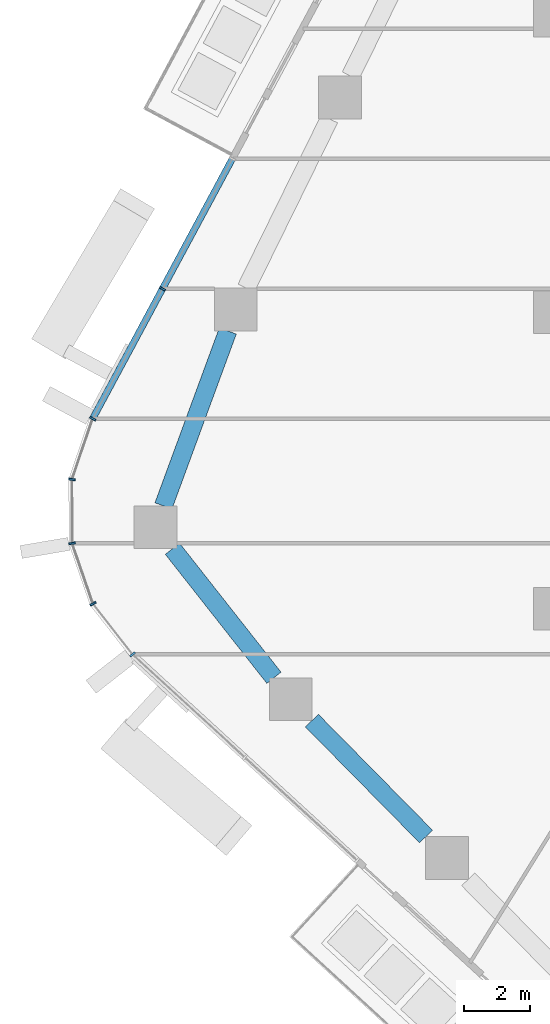
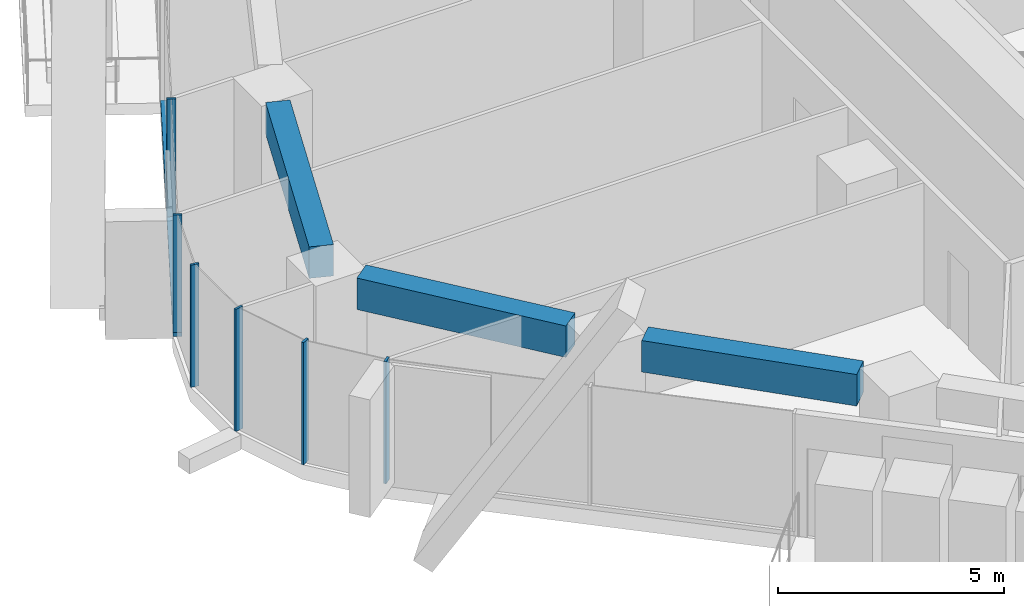
# One storey, part 3 of 23: 7 members, 3 beams, 2 elements without a shape of their own.
"""IFC4 building model written with IfcOpenShell, lengths in metres."""

from ifc_helpers import new_model, si_unit, direction, frame, origin, origin_2d, place, context, subcontext, project, spatial, rectangle, extrude, material, layer, layer_set, material_profile, profile_set, type_object, element, aggregate, save


model = new_model("IFC4")

# Units and contexts
model_context = context("Model", 3, precision=1e-05, world=origin(), true_north=direction((0.0, 1.0)))
body_context = subcontext(model_context, "Body", "Model", "MODEL_VIEW")
ifc_project = project(units=[si_unit("LENGTHUNIT", "METRE"), si_unit("AREAUNIT", "SQUARE_METRE"), si_unit("VOLUMEUNIT", "CUBIC_METRE"), si_unit("PLANEANGLEUNIT", "RADIAN"), si_unit("MASSUNIT", "GRAM", prefix="KILO")], contexts=[model_context])

# Site, building, storey
site_placement = place(None, origin())
site = spatial("IfcSite", under=ifc_project, at=site_placement, CompositionType="ELEMENT")
building_placement = place(site_placement, origin())
building = spatial("IfcBuilding", under=site, at=building_placement, Name="Dongbaek Canopy Tower", CompositionType="ELEMENT")
storey_placement = place(building_placement, frame((0.0, 0.0, 121.10009765625)))
storey = spatial("IfcBuildingStorey", under=building, at=storey_placement, Name="L26", CompositionType="ELEMENT", Elevation=121.10009765625)

# Curtain wall, members
ifc_material_1 = material(Name="Aluminium 6063-T6 pale anodised", Category="aluminium")
ifc_layer = layer(ifc_material_1, 0.199951171875)
ifc_layer_set = layer_set([ifc_layer], Name="CW-1 unitised tower curtain wall")
curtain_wall_type = type_object("IfcCurtainWallType", Name="CW-1 unitised tower curtain wall", PredefinedType="NOTDEFINED", material=ifc_layer_set)
curtain_wall_1_placement = place(storey_placement, origin())
curtain_wall_1 = element("IfcCurtainWall", 1, at=curtain_wall_1_placement, inside=storey, type_object=curtain_wall_type, Name="CW-1 curtain wall F2.1", PredefinedType="NOTDEFINED")
ifc_material_2 = material(Name="Aluminium 6063-T6 pale anodised", Category="aluminium")
ifc_material_profile_1 = material_profile(ifc_material_2, rectangle(XDim=0.199951171875, YDim=0.06005859375, at=origin_2d()), Name="CW-1 mullion 60 x 200")
ifc_profile_set_1 = profile_set([ifc_material_profile_1], Name="Aluminium 6063-T6 pale anodised")
member_type_1 = type_object("IfcMemberType", Name="CW-1 mullion 60 x 200", PredefinedType="MULLION", material=ifc_profile_set_1)
member_1_placement = place(storey_placement, frame((-29.91552734375, 0.711669921875, 0.119873046875), z_axis=(0.0, 0.0, 1.0), x_axis=(-0.880842802858, 0.473408868372, 0.0)))
member_1 = element("IfcMember", 2, at=member_1_placement, type_object=member_type_1, Name="CW-1 mullion F2.1.2", PredefinedType="MULLION", context=body_context, shape_type="SweptSolid", body=[
    extrude(rectangle(XDim=0.199951171875, YDim=0.06005859375, at=origin_2d()), origin(), (0.0, 0.0, 1.0), 3.179931640625),
])
member_2_placement = place(storey_placement, frame((-32.033447265625, -3.229248046875, 0.119873046875), z_axis=(0.0, 0.0, 1.0), x_axis=(-0.880842802858, 0.473408868372, 0.0)))
member_2 = element("IfcMember", 3, at=member_2_placement, type_object=member_type_1, Name="CW-1 mullion F2.1.3", PredefinedType="MULLION", context=body_context, shape_type="SweptSolid", body=[
    extrude(rectangle(XDim=0.199951171875, YDim=0.06005859375, at=origin_2d()), origin(), (0.0, 0.0, 1.0), 3.179931640625),
])

curtain_wall_2_placement = place(storey_placement, origin())
curtain_wall_2 = element("IfcCurtainWall", 4, at=curtain_wall_2_placement, inside=storey, type_object=curtain_wall_type, Name="CW-1 curtain wall K3.1", PredefinedType="NOTDEFINED")
member_3_placement = place(storey_placement, frame((-32.6611328125, -5.07373046875, 0.0), z_axis=(0.0, 0.0, 1.0), x_axis=(-0.986786712671, 0.162024639164, 0.0)))
member_3 = element("IfcMember", 5, at=member_3_placement, type_object=member_type_1, Name="CW-1 mullion K3.1.2", PredefinedType="MULLION", context=body_context, shape_type="SweptSolid", body=[
    extrude(rectangle(XDim=0.199951171875, YDim=0.06005859375, at=origin_2d()), origin(), (0.0, 0.0, 1.0), 3.2998046875),
])
member_4_placement = place(storey_placement, frame((-32.65625, -7.013916015625, 0.0), z_axis=(0.0, 0.0, 1.0), x_axis=(-0.985975841841, -0.16688810415, 0.0)))
member_4 = element("IfcMember", 6, at=member_4_placement, type_object=member_type_1, Name="CW-1 mullion K3.1.3", PredefinedType="MULLION", context=body_context, shape_type="SweptSolid", body=[
    extrude(rectangle(XDim=0.199951171875, YDim=0.06005859375, at=origin_2d()), origin(), (0.0, 0.0, 1.0), 3.2998046875),
])
member_5_placement = place(storey_placement, frame((-32.0224609375, -8.84765625, 0.0), z_axis=(0.0, 0.0, 1.0), x_axis=(-0.878497913812, -0.47774618306, 0.0)))
member_5 = element("IfcMember", 7, at=member_5_placement, type_object=member_type_1, Name="CW-1 mullion K3.1.4", PredefinedType="MULLION", context=body_context, shape_type="SweptSolid", body=[
    extrude(rectangle(XDim=0.199951171875, YDim=0.06005859375, at=origin_2d()), origin(), (0.0, 0.0, 1.0), 3.2998046875),
])
member_6_placement = place(storey_placement, frame((-30.822509765625, -10.383056640625, 0.0), z_axis=(0.0, 0.0, 1.0), x_axis=(-0.787967884973, -0.615716340737, 0.0)))
member_6 = element("IfcMember", 8, at=member_6_placement, type_object=member_type_1, Name="CW-1 mullion K3.1.5", PredefinedType="MULLION", context=body_context, shape_type="SweptSolid", body=[
    extrude(rectangle(XDim=0.199951171875, YDim=0.06005859375, at=origin_2d()), origin(), (0.0, 0.0, 1.0), 3.2998046875),
])
aggregate(curtain_wall_2, [member_3, member_4, member_5, member_6])

# Member
ifc_material_3 = material(Name="Aluminium 6063-T6 pale anodised", Category="aluminium")
ifc_material_profile_2 = material_profile(ifc_material_3, rectangle(XDim=0.199951171875, YDim=0.1201171875, at=origin_2d()), Name="CW-1 transom 120 x 200")
ifc_profile_set_2 = profile_set([ifc_material_profile_2], Name="Aluminium 6063-T6 pale anodised")
member_type_2 = type_object("IfcMemberType", Name="CW-1 transom 120 x 200", PredefinedType="USERDEFINED", material=ifc_profile_set_2)
member_7_placement = place(storey_placement, frame((-27.793701171875, 4.65966796875, 0.059814453125), z_axis=(-0.473395790362, -0.880849831508, 0.0), x_axis=(0.880849831508, -0.473395790362, 0.0)))
member_7 = element("IfcMember", 9, at=member_7_placement, type_object=member_type_2, Name="CW-1 transom F2.1.1", ObjectType="TRANSOM", PredefinedType="USERDEFINED", context=body_context, shape_type="SweptSolid", body=[
    extrude(rectangle(XDim=0.199951171875, YDim=0.1201171875, at=origin_2d()), origin(), (0.0, 0.0, 1.0), 8.9560546875),
])

aggregate(curtain_wall_1, [member_1, member_2, member_7])

# Beams
ifc_material_4 = material(Name="Concrete C80", Category="concrete")
ifc_material_profile_3 = material_profile(ifc_material_4, rectangle(XDim=0.550048828125, YDim=0.85009765625, at=origin_2d()), Name="RC EDGE BEAM 550x850 C80")
ifc_profile_set_3 = profile_set([ifc_material_profile_3], Name="Concrete C80")
beam_type = type_object("IfcBeamType", Name="RC EDGE BEAM 550x850 C80", PredefinedType="BEAM", material=ifc_profile_set_3)
beam_1_placement = place(storey_placement, frame((-21.9169921875, -15.909912109375, 2.875), z_axis=(-0.70172014863, 0.712452688259, 0.0), x_axis=(-0.712452688259, -0.70172014863, 0.0)))
element("IfcBeam", 10, at=beam_1_placement, inside=storey, type_object=beam_type, Name="EDGEBEAM:L26:06", PredefinedType="BEAM", context=body_context, shape_type="SweptSolid", body=[
    extrude(rectangle(XDim=0.550048828125, YDim=0.85009765625, at=origin_2d()), origin(), (0.0, 0.0, 1.0), 4.936279296875),
])
beam_2_placement = place(storey_placement, frame((-26.532470703125, -11.093017578125, 2.875), z_axis=(-0.618340753303, 0.78591011751, 0.0), x_axis=(-0.78591011751, -0.618340753303, 0.0)))
element("IfcBeam", 11, at=beam_2_placement, inside=storey, type_object=beam_type, Name="EDGEBEAM:L26:07", PredefinedType="BEAM", context=body_context, shape_type="SweptSolid", body=[
    extrude(rectangle(XDim=0.550048828125, YDim=0.85009765625, at=origin_2d()), origin(), (0.0, 0.0, 1.0), 4.982666015625),
])
beam_3_placement = place(storey_placement, frame((-29.8857421875, -5.876953125, 2.875), z_axis=(0.345281407117, 0.938499200799, 0.0), x_axis=(-0.938499200799, 0.345281407117, 0.0)))
element("IfcBeam", 12, at=beam_3_placement, inside=storey, type_object=beam_type, Name="EDGEBEAM:L26:08", PredefinedType="BEAM", context=body_context, shape_type="SweptSolid", body=[
    extrude(rectangle(XDim=0.550048828125, YDim=0.85009765625, at=origin_2d()), origin(), (0.0, 0.0, 1.0), 5.657958984375),
])

save(model, "model.ifc")
